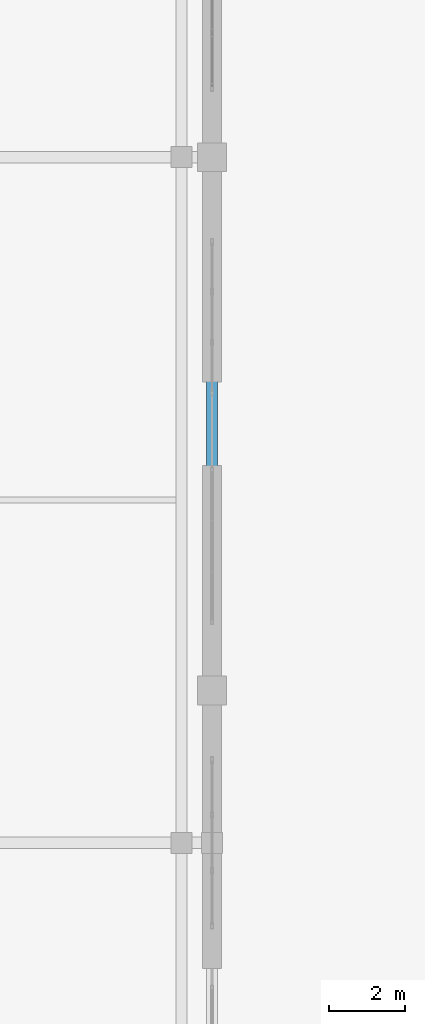
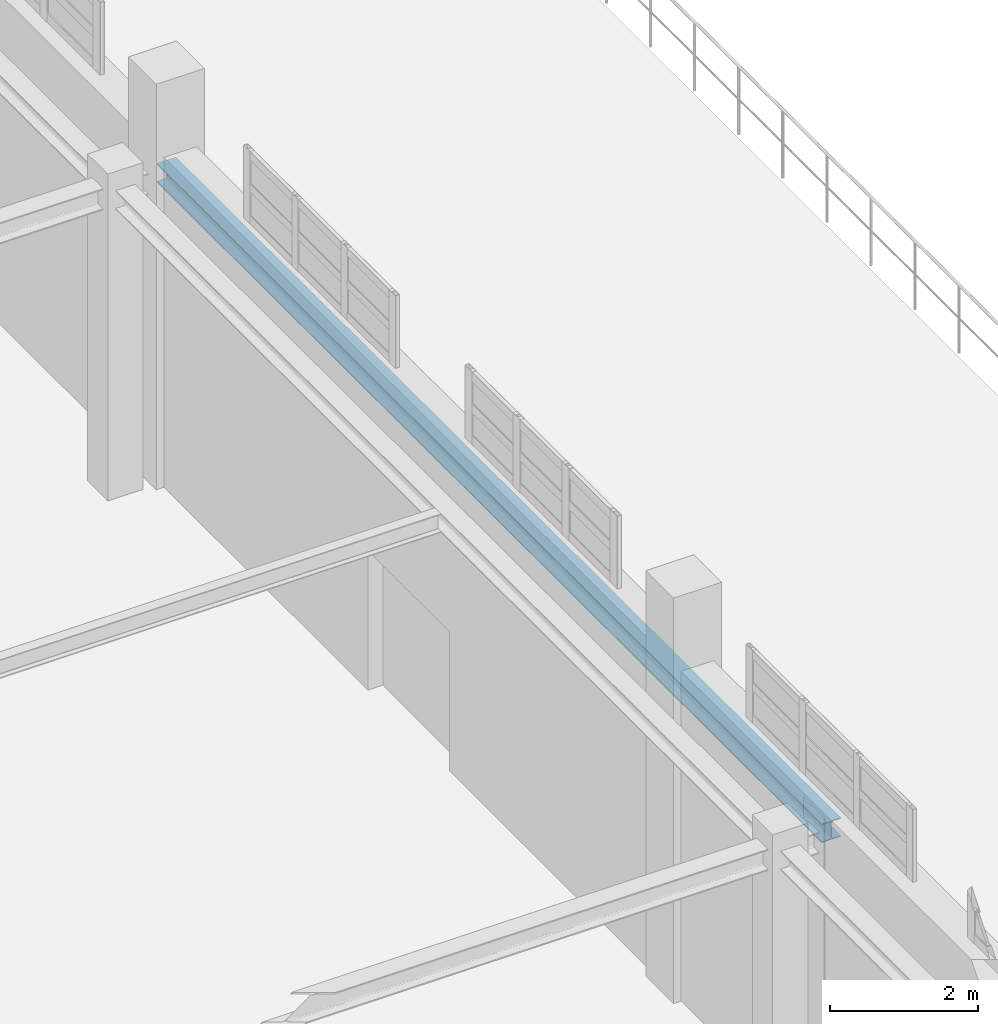
# One storey, part 123 of 197: 1 beam.
"""IFC4 building model written with IfcOpenShell, lengths in metres."""

import ifcopenshell
import ifcopenshell.guid

model = None  # the IFC model being written
_history = None  # IfcOwnerHistory: only IFC2X3 demands one
_inside = {}  # id of a spatial element -> (the spatial element, [elements in it])
_under = {}  # id of a project, library or spatial element -> (it, [spatial elements below it])
_declared = {}  # id of a project -> (the project, [libraries it declares])
_typed = {}  # id of a type object -> (the type object, [elements of that type])
_made_of = {}  # id of a material, layer set ... -> (it, [elements and type objects made of it])


def new_model(schema):
    """Start an empty IFC model of exactly this schema.

    Asked for "IFC4X3", IfcOpenShell would pick the latest addendum, in which some entities
    have other attributes; the version numbers below select the first issue.
    IFC2X3 requires an IfcOwnerHistory on every rooted entity: one is made here for all.
    """
    global model, _history
    if schema == "IFC4X3":
        model = ifcopenshell.file(schema_version=(4, 3, 0, 0))
    else:
        model = ifcopenshell.file(schema=schema)
    _inside.clear()
    _under.clear()
    _declared.clear()
    _typed.clear()
    _made_of.clear()
    _history = None
    if model.schema == "IFC2X3":
        org = make("IfcOrganization", Name="unknown")
        user = make(
            "IfcPersonAndOrganization",
            ThePerson=make("IfcPerson", FamilyName="unknown"),
            TheOrganization=org,
        )
        app = make(
            "IfcApplication",
            ApplicationDeveloper=org,
            Version="unknown",
            ApplicationFullName="unknown",
            ApplicationIdentifier="unknown",
        )
        _history = make(
            "IfcOwnerHistory",
            OwningUser=user,
            OwningApplication=app,
            ChangeAction="ADDED",
            CreationDate=0,
        )
    return model


def make(cls, **values):
    """One entity of the class cls with the attributes given. An attribute that is None is left unset."""
    return model.create_entity(
        cls, **{name: value for name, value in values.items() if value is not None}
    )


def rooted(cls, **values):
    """An entity with a GlobalId (a new one), such as an element, a storey or a relation."""
    return make(cls, GlobalId=ifcopenshell.guid.new(), OwnerHistory=_history, **values)


def si_unit(unit_type, name, prefix=None):
    """IfcSIUnit, for example si_unit("LENGTHUNIT", "METRE", prefix="MILLI")."""
    return make("IfcSIUnit", UnitType=unit_type, Prefix=prefix, Name=name)


def derived_unit(unit_type, elements):
    """IfcDerivedUnit: a product of units, each with its exponent."""
    return make(
        "IfcDerivedUnit",
        Elements=[
            make("IfcDerivedUnitElement", Unit=unit, Exponent=power)
            for unit, power in elements
        ],
        UnitType=unit_type,
    )


def assignment(units):
    """IfcUnitAssignment: the units of a project."""
    return None if units is None else make("IfcUnitAssignment", Units=units)


def point(xyz):
    """IfcCartesianPoint."""
    return None if xyz is None else make("IfcCartesianPoint", Coordinates=xyz)


def direction(xyz):
    """IfcDirection."""
    return None if xyz is None else make("IfcDirection", DirectionRatios=xyz)


def frame(location, z_axis=None, x_axis=None):
    """IfcAxis2Placement3D, a coordinate frame: its origin and axes. An axis left out is left unset."""
    return make(
        "IfcAxis2Placement3D",
        Location=point(location),
        Axis=direction(z_axis),
        RefDirection=direction(x_axis),
    )


def frame_2d(location, x_axis=None):
    """IfcAxis2Placement2D, a coordinate frame in the plane: its origin and x axis."""
    return make(
        "IfcAxis2Placement2D", Location=point(location), RefDirection=direction(x_axis)
    )


def origin():
    """The frame at (0, 0, 0) with its axes left unset."""
    return frame((0.0, 0.0, 0.0))


def origin_2d():
    """The frame at (0, 0) in the plane with its x axis left unset."""
    return frame_2d((0.0, 0.0))


def place(relative_to, where):
    """IfcLocalPlacement: puts the frame where relative to a parent placement (None: the world)."""
    return make(
        "IfcLocalPlacement", PlacementRelTo=relative_to, RelativePlacement=where
    )


def context(
    kind, dimensions, precision=None, world=None, true_north=None, identifier=None
):
    """IfcGeometricRepresentationContext, for example the 3D "Model" context."""
    return make(
        "IfcGeometricRepresentationContext",
        ContextIdentifier=identifier,
        ContextType=kind,
        CoordinateSpaceDimension=dimensions,
        Precision=precision,
        WorldCoordinateSystem=world,
        TrueNorth=true_north,
    )


def subcontext(parent, identifier, kind, view, scale=None):
    """IfcGeometricRepresentationSubContext, for example "Body" below "Model"."""
    return make(
        "IfcGeometricRepresentationSubContext",
        ContextIdentifier=identifier,
        ContextType=kind,
        ParentContext=parent,
        TargetScale=scale,
        TargetView=view,
    )


def project(units=None, contexts=None):
    """IfcProject with its units and contexts."""
    return rooted(
        "IfcProject",
        Name="project",
        RepresentationContexts=contexts,
        UnitsInContext=assignment(units),
    )


def spatial(cls, under=None, at=None, **own):
    """A site, building, storey or space (cls), placed at a placement, below another one or the project."""
    s = rooted(cls, ObjectPlacement=at, **own)
    if under is not None:
        _under.setdefault(under.id(), (under, []))[1].append(s)
    return s


def profile(cls, at=None, kind="AREA", **sizes):
    """A parametric profile (cls). Its sizes go by their IFC names, for example OverallWidth=200.0."""
    return make(cls, ProfileType=kind, Position=at, **sizes)


def i_section(**sizes):
    """IfcIShapeProfileDef."""
    return profile("IfcIShapeProfileDef", **sizes)


def extrude(swept, where, along, depth):
    """IfcExtrudedAreaSolid: the profile swept, set in the frame where, extruded along a direction by depth."""
    return make(
        "IfcExtrudedAreaSolid",
        SweptArea=swept,
        Position=where,
        ExtrudedDirection=direction(along),
        Depth=depth,
    )


def shape(context_of_items, identifier, shape_type, items):
    """IfcShapeRepresentation: the items that make up one representation, for example the "Body"."""
    return make(
        "IfcShapeRepresentation",
        ContextOfItems=context_of_items,
        RepresentationIdentifier=identifier,
        RepresentationType=shape_type,
        Items=items,
    )


def material(Name=None, Category=None):
    """IfcMaterial."""
    return make("IfcMaterial", Name=Name, Category=Category)


def material_profile(
    of_material, cross_section, Name=None, Category=None, Priority=None
):
    """IfcMaterialProfile: a cross section and its material."""
    return make(
        "IfcMaterialProfile",
        Name=Name,
        Material=of_material,
        Profile=cross_section,
        Priority=Priority,
        Category=Category,
    )


def profile_set(profiles, Name=None, composite=None):
    """IfcMaterialProfileSet."""
    return make(
        "IfcMaterialProfileSet",
        Name=Name,
        MaterialProfiles=profiles,
        CompositeProfile=composite,
    )


def made_of(thing, what):
    """Note that an element or type object is made of a material, layer set ...; save() writes the relation."""
    if what is not None:
        _made_of.setdefault(what.id(), (what, []))[1].append(thing)
    return thing


def type_object(cls, material=None, **own):
    """A type object (cls), such as IfcWallType, which elements share."""
    return made_of(rooted(cls, **own), material)


def element(
    cls,
    number,
    at=None,
    inside=None,
    cuts=None,
    type_object=None,
    material=None,
    context=None,
    identifier="Body",
    shape_type=None,
    held_by="IfcProductDefinitionShape",
    body=None,
    shapes=None,
    **own,
):
    """One element of the class cls, such as IfcWall. Its Tag is "e" and its number.

    at: its placement. inside: the storey or other place that contains it. cuts: it is an
    opening in that element (IfcRelVoidsElement). A single representation is given by context,
    identifier, shape_type and body (its items); several are given by shapes. held_by: the class
    of the entity that holds the representations. save() writes the other relations.
    """
    e = rooted(cls, Tag="e%d" % number, ObjectPlacement=at, **own)
    if body is not None:
        shapes = [shape(context, identifier, shape_type, body)]
    if shapes is not None:
        e.Representation = make(held_by, Representations=shapes)
    if inside is not None:
        _inside.setdefault(inside.id(), (inside, []))[1].append(e)
    if cuts is not None:
        rooted(
            "IfcRelVoidsElement", RelatingBuildingElement=cuts, RelatedOpeningElement=e
        )
    if type_object is not None:
        _typed.setdefault(type_object.id(), (type_object, []))[1].append(e)
    return made_of(e, material)


def aggregate(whole, parts):
    """IfcRelAggregates: a whole, such as a stair, and the parts it consists of."""
    return rooted("IfcRelAggregates", RelatingObject=whole, RelatedObjects=parts)


def save(model, path):
    """Write the relations noted so far, then the file.

    IfcRelAggregates (storeys below a building ...), IfcRelContainedInSpatialStructure (elements
    in a storey), IfcRelDefinesByType, IfcRelAssociatesMaterial and IfcRelDeclares: one each for
    every whole, place, type object, material and project.
    """
    for whole, parts in _under.values():
        aggregate(whole, parts)
    for where, things in _inside.values():
        rooted(
            "IfcRelContainedInSpatialStructure",
            RelatedElements=things,
            RelatingStructure=where,
        )
    for kind, things in _typed.values():
        rooted("IfcRelDefinesByType", RelatedObjects=things, RelatingType=kind)
    for what, things in _made_of.values():
        rooted("IfcRelAssociatesMaterial", RelatedObjects=things, RelatingMaterial=what)
    for by, libraries in _declared.values():
        rooted("IfcRelDeclares", RelatingContext=by, RelatedDefinitions=libraries)
    model.write(path)


model = new_model("IFC4")

# Units and contexts
model_context = context("Model", 3, precision=1e-05, world=origin(), true_north=direction((0.0, 1.0)))
body_context = subcontext(model_context, "Body", "Model", "MODEL_VIEW")
ifc_project = project(units=[si_unit("LENGTHUNIT", "METRE"), si_unit("AREAUNIT", "SQUARE_METRE"), si_unit("VOLUMEUNIT", "CUBIC_METRE"), si_unit("PLANEANGLEUNIT", "RADIAN"), si_unit("MASSUNIT", "GRAM", prefix="KILO"), derived_unit("THERMALTRANSMITTANCEUNIT", [(si_unit("POWERUNIT", "WATT"), 1), (si_unit("LENGTHUNIT", "METRE"), -2), (si_unit("THERMODYNAMICTEMPERATUREUNIT", "KELVIN"), -1)])], contexts=[model_context])

# Site, building, storey
site_placement = place(None, origin())
site = spatial("IfcSite", under=ifc_project, at=site_placement, CompositionType="ELEMENT")
building_placement = place(site_placement, origin())
building = spatial("IfcBuilding", under=site, at=building_placement, Name="Almenara Railside Exhibition Hall", CompositionType="ELEMENT")
storey_placement = place(building_placement, frame((0.0, 0.0, 5.39990234375)))
storey = spatial("IfcBuildingStorey", under=building, at=storey_placement, Name="L01", CompositionType="ELEMENT", Elevation=5.39990234375)

# Beam
ifc_material = material(Name="Structural steel S355JR", Category="steel")
ifc_material_profile = material_profile(ifc_material, i_section(OverallWidth=0.300048828125, OverallDepth=0.31005859375, WebThickness=0.009033203125, FlangeThickness=0.015380859375, FilletRadius=0.027099609375, at=origin_2d()), Name="HEA 320")
ifc_profile_set = profile_set([ifc_material_profile], Name="Structural steel S355JR")
beam_type = type_object("IfcBeamType", Name="Steel Concourse Edge Beam HEA 320 S355JR", PredefinedType="BEAM", material=ifc_profile_set)
beam_placement = place(storey_placement, frame((138.0, 72.0, 4.93115234375), z_axis=(0.0, 1.0, 0.0), x_axis=(-1.0, 0.0, 0.0)))
element("IfcBeam", 1, at=beam_placement, inside=storey, type_object=beam_type, Name="Beam 0824", PredefinedType="BEAM", context=body_context, shape_type="SweptSolid", body=[
    extrude(i_section(OverallWidth=0.300048828125, OverallDepth=0.31005859375, WebThickness=0.009033203125, FlangeThickness=0.015380859375, FilletRadius=0.027099609375, at=origin_2d()), origin(), (0.0, 0.0, 1.0), 18.0),
])

save(model, "model.ifc")
